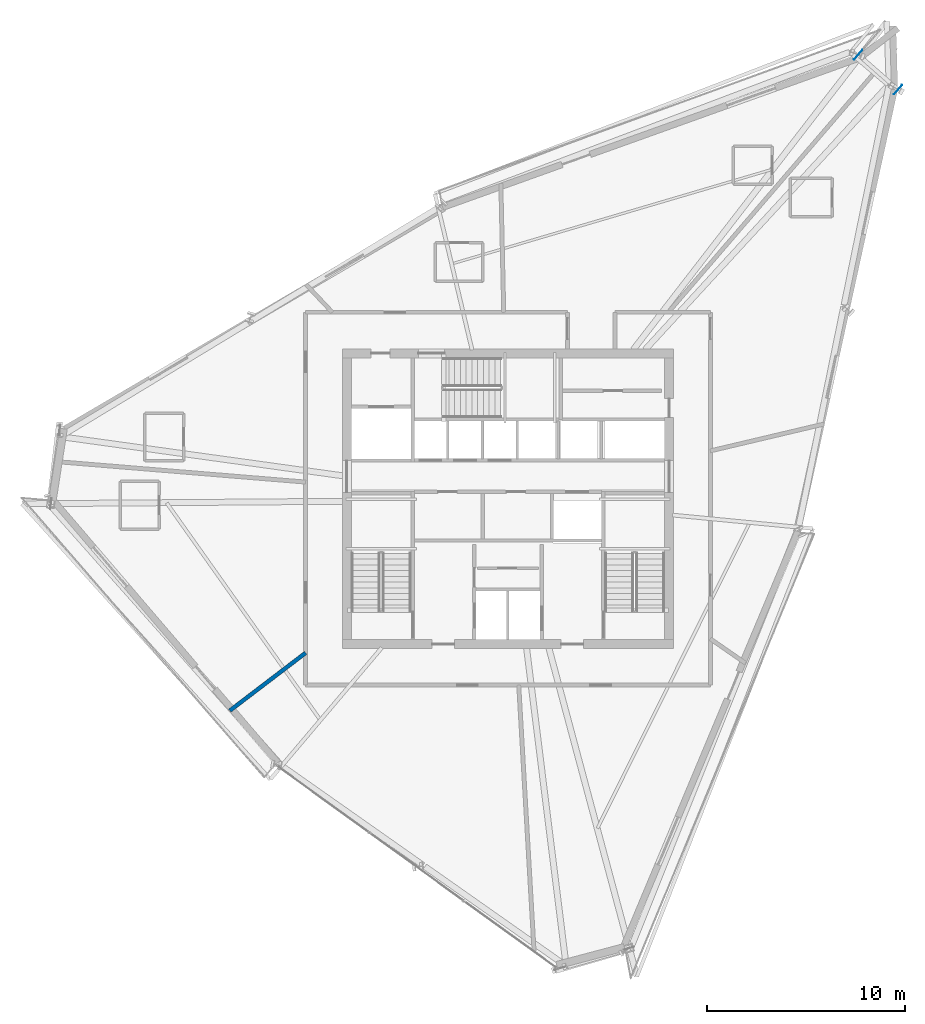
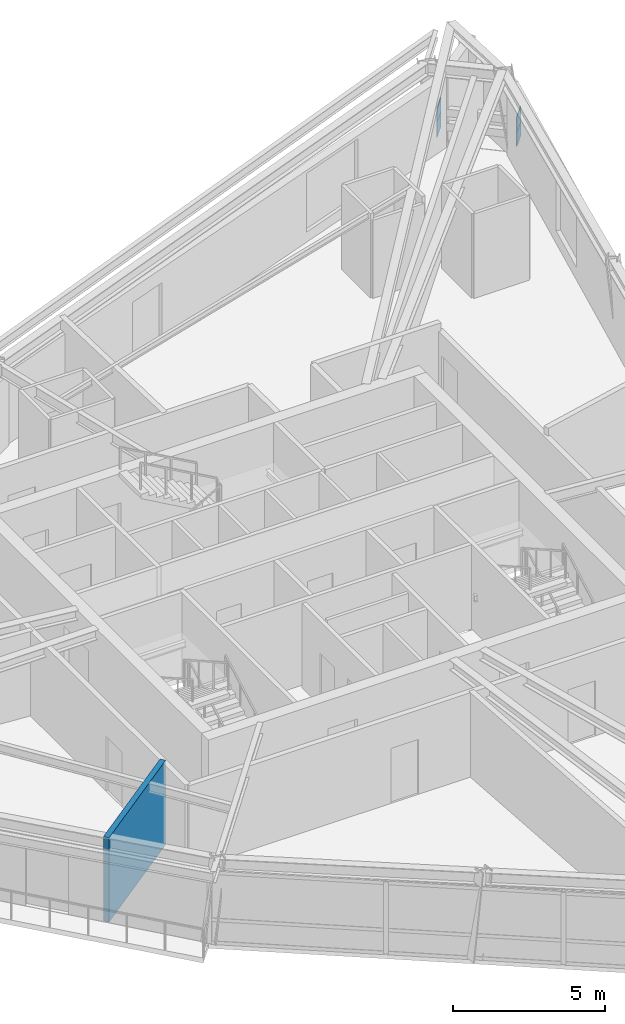
# One storey, part 7 of 14: 4 plates, 1 wall.
"""IFC4 building model written with IfcOpenShell, lengths in metres."""

from ifc_helpers import new_model, si_unit, direction, frame, frame_2d, origin, origin_2d, place, context, subcontext, project, spatial, rectangle, extrude, source, transform, mapped, material, layer, layer_set, type_object, element, save


model = new_model("IFC4")

# Units and contexts
model_context = context("Model", 3, precision=1e-05, world=origin(), true_north=direction((0.0, 1.0)))
body_context = subcontext(model_context, "Body", "Model", "MODEL_VIEW")
ifc_project = project(units=[si_unit("LENGTHUNIT", "METRE"), si_unit("AREAUNIT", "SQUARE_METRE"), si_unit("VOLUMEUNIT", "CUBIC_METRE"), si_unit("PLANEANGLEUNIT", "RADIAN"), si_unit("MASSUNIT", "GRAM", prefix="KILO")], contexts=[model_context])

# Site, building, storey
site_placement = place(None, origin())
site = spatial("IfcSite", under=ifc_project, at=site_placement, CompositionType="ELEMENT")
building_placement = place(site_placement, origin())
building = spatial("IfcBuilding", under=site, at=building_placement, Name="Olszyna Solenne Hotel", CompositionType="ELEMENT")
storey_placement = place(building_placement, frame((0.0, 0.0, 234.5)))
storey = spatial("IfcBuildingStorey", under=building, at=storey_placement, Name="L62", CompositionType="ELEMENT", Elevation=234.5)

# Plates
ifc_material_1 = material(Name="Steel S460M", Category="steel")
plate_type = type_object("IfcPlateType", Name="GP-CAP2", PredefinedType="USERDEFINED", material=ifc_material_1)
shared_shape = source(origin(), body_context, "Body", "SweptSolid", [
    extrude(rectangle(XDim=0.030029296875, YDim=0.6201171875, at=origin_2d()), origin(), (0.0, 0.0, 1.0), 0.6201171875),
])
for number, where, z_axis, x_axis, name in (
    (1, (57.663818359375, 47.222900390625, 1.0400390625), (0.0, 0.0, 1.0), (-0.751839807479, 0.6593458151, 0.0), "Hollow section end-cap plate GP-CAP2 CP-PR-M-L62-PR1-1"),
    (2, (55.65576171875, 48.98388671875, 1.0400390625), (0.0, 0.0, 1.0), (-0.751839807479, 0.6593458151, 0.0), "Hollow section end-cap plate GP-CAP2 CP-PR-M-L62-PR1-2"),
    (3, (57.663818359375, 47.222900390625, 0.469970703125), (0.0, 0.0, 1.0), (-0.751839807479, 0.6593458151, 0.0), "Hollow section end-cap plate GP-CAP2 CP-PR-M-L62-PR2-1"),
    (4, (55.65576171875, 48.98388671875, 0.469970703125), (0.0, 0.0, 1.0), (-0.751839807479, 0.6593458151, 0.0), "Hollow section end-cap plate GP-CAP2 CP-PR-M-L62-PR2-2"),
):
    element("IfcPlate", number, at=place(storey_placement, frame(where, z_axis=z_axis, x_axis=x_axis)), inside=storey, type_object=plate_type, Name=name, ObjectType="GUSSET_PLATE", PredefinedType="USERDEFINED", context=body_context, shape_type="MappedRepresentation", body=[
        mapped(shared_shape, transform((0.0, 0.0, 0.0), x_axis=(1.0, 0.0, 0.0), y_axis=(0.0, 1.0, 0.0), z_axis=(0.0, 0.0, 1.0), scale=1.0)),
    ])

# Wall
ifc_material_2 = material(Name="Acoustic gypsum partition", Category="gypsum")
ifc_layer = layer(ifc_material_2, 0.199951171875, Name="Acoustic gypsum partition")
ifc_layer_set = layer_set([ifc_layer], Name="Acoustic gypsum partition")
wall_type = type_object("IfcWallType", Name="WL-PT200", PredefinedType="PARTITIONING", material=ifc_layer_set)
wall_placement = place(storey_placement, frame((27.800048828125, 18.82958984375, 0.0), z_axis=(0.0, 0.0, 1.0), x_axis=(-0.795504003678, -0.60594833124, 0.0)))
element("IfcWall", 5, at=wall_placement, inside=storey, type_object=wall_type, Name="Interior acoustic partition WL-PT200 PW-L62-3430", PredefinedType="PARTITIONING", context=body_context, shape_type="SweptSolid", body=[
    extrude(rectangle(XDim=4.806640625, YDim=0.199951171875, at=frame_2d((2.4033203125, 0.0))), origin(), (0.0, 0.0, 1.0), 3.3798828125),
])

save(model, "model.ifc")
